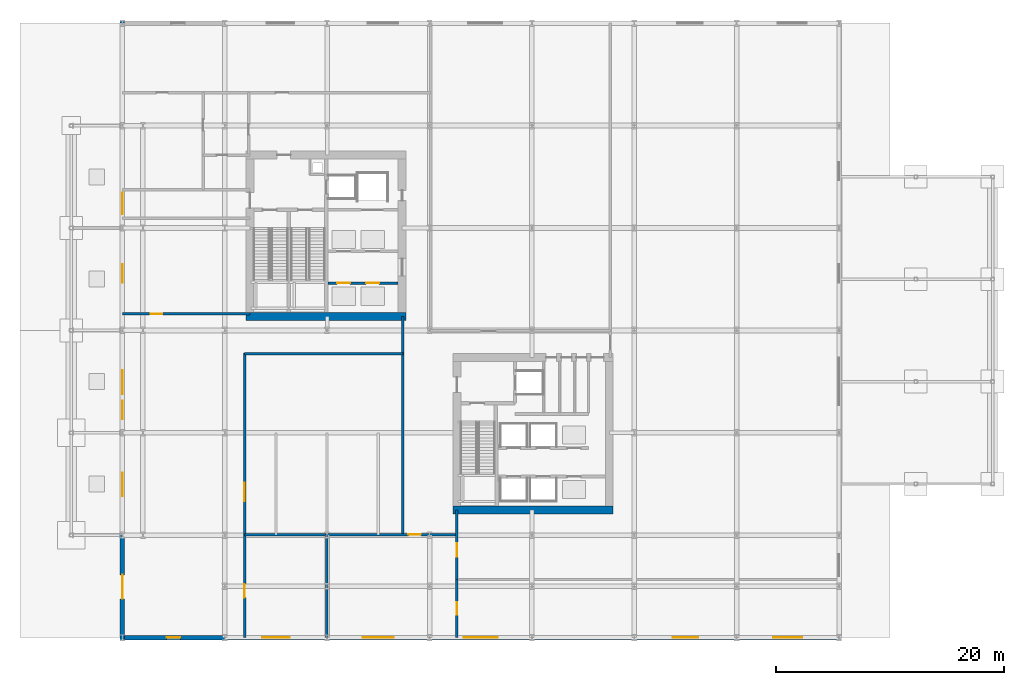
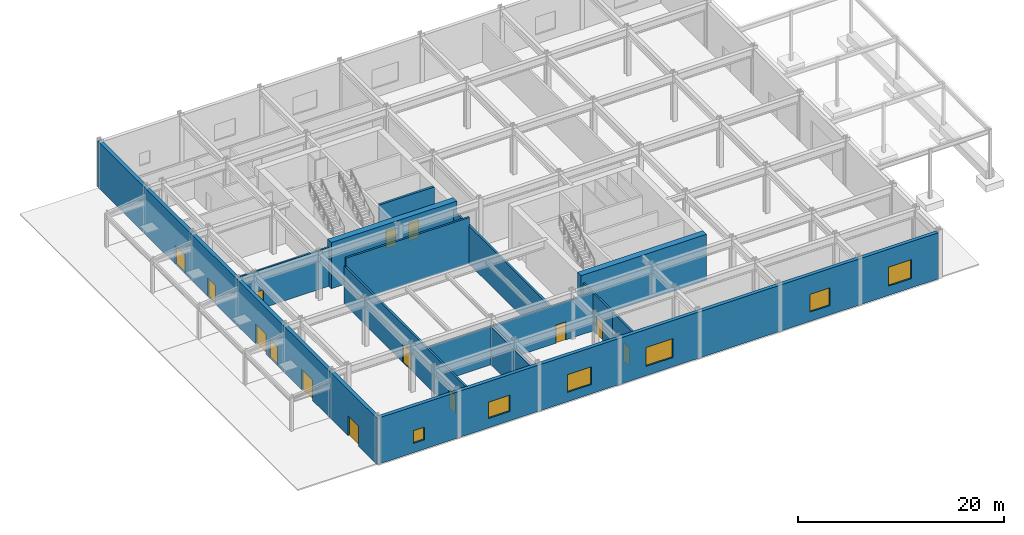
# One storey, part 10 of 19: 14 doors, 13 walls, 6 windows, 20 openings.
"""IFC4 building model written with IfcOpenShell, lengths in metres."""

from ifc_helpers import new_model, si_unit, direction, frame, frame_2d, origin, place, context, subcontext, project, spatial, rectangle, extrude, material, layer, layer_set, type_object, element, fill, save


model = new_model("IFC4")

# Units and contexts
model_context = context("Model", 3, precision=1e-05, world=origin(), true_north=direction((0.0, 1.0)))
body_context = subcontext(model_context, "Body", "Model", "MODEL_VIEW")
ifc_project = project(units=[si_unit("LENGTHUNIT", "METRE"), si_unit("AREAUNIT", "SQUARE_METRE"), si_unit("VOLUMEUNIT", "CUBIC_METRE"), si_unit("PLANEANGLEUNIT", "RADIAN"), si_unit("MASSUNIT", "GRAM", prefix="KILO")], contexts=[model_context])

# Site, building, storey
site_placement = place(None, origin())
site = spatial("IfcSite", under=ifc_project, at=site_placement, CompositionType="ELEMENT")
building_placement = place(site_placement, origin())
building = spatial("IfcBuilding", under=site, at=building_placement, Name="Solvaryn Broadcast Tower", CompositionType="ELEMENT")
storey_placement = place(building_placement, origin())
storey = spatial("IfcBuildingStorey", under=building, at=storey_placement, Name="L00", CompositionType="ELEMENT", Elevation=0.0)

# Walls
ifc_material_1 = material(Name="Concrete f'c 70 MPa", Category="concrete")
ifc_layer_1 = layer(ifc_material_1, 0.699951171875)
ifc_layer_set_1 = layer_set([ifc_layer_1], Name="CW-SHEAR-700")
wall_type_1 = type_object("IfcWallType", Name="CW-SHEAR-700", PredefinedType="SHEAR", material=ifc_layer_set_1)
for number, where, z_axis, x_axis, name in (
    (1, (24.949951171875, 28.199951171875, 0.0), (0.0, 0.0, 1.0), (-1.0, 0.0, 0.0), "L00 West Core South Shear Wall"),
    (2, (43.14990234375, 11.199951171875, 0.0), (0.0, 0.0, 1.0), (-1.0, 0.0, 0.0), "L00 East Core South Shear Wall"),
):
    element("IfcWall", number, at=place(storey_placement, frame(where, z_axis=z_axis, x_axis=x_axis)), inside=storey, type_object=wall_type_1, Name=name, PredefinedType="SHEAR", context=body_context, shape_type="SweptSolid", body=[
        extrude(rectangle(XDim=14.099853515625, YDim=0.699951171875, at=frame_2d((7.0498046875, 0.0))), origin(), (0.0, 0.0, 1.0), 5.47998046875),
    ])

# Wall, openings, doors
ifc_material_2 = material(Name="Concrete f'c 50 MPa", Category="concrete")
ifc_layer_2 = layer(ifc_material_2, 0.39990234375)
ifc_layer_set_2 = layer_set([ifc_layer_2], Name="EW-POD-400")
wall_type_2 = type_object("IfcWallType", Name="EW-POD-400", PredefinedType="SOLIDWALL", material=ifc_layer_set_2)
wall_1_placement = place(storey_placement, frame((0.0, -0.199951171875, 0.0), z_axis=(0.0, 0.0, 1.0), x_axis=(0.0, 1.0, 0.0)))
wall_1 = element("IfcWall", 3, at=wall_1_placement, inside=storey, type_object=wall_type_2, Name="L00 West Street Facade Wall", PredefinedType="SOLIDWALL", context=body_context, shape_type="SweptSolid", body=[
    extrude(rectangle(XDim=54.39990234375, YDim=0.39990234375, at=frame_2d((27.199951171875, 0.0))), origin(), (0.0, 0.0, 1.0), 5.47998046875),
])
opening_1_placement = place(wall_1_placement, frame((37.39990234375, 0.0, 0.0)))
opening_1 = element("IfcOpeningElement", 4, at=opening_1_placement, cuts=wall_1, Name="Opening ED-001", PredefinedType="OPENING", context=body_context, shape_type="SweptSolid", body=[
    extrude(rectangle(XDim=1.89990234375, YDim=2.199951171875, at=frame_2d((0.949951171875, 1.10009765625))), frame((0.0, 0.2099609375, 0.0), z_axis=(0.0, -1.0, 0.0), x_axis=(1.0, 0.0, 0.0)), (0.0, 0.0, 1.0), 0.419921875),
])
opening_2_placement = place(wall_1_placement, frame((19.39990234375, 0.0, 0.0)))
opening_2 = element("IfcOpeningElement", 5, at=opening_2_placement, cuts=wall_1, Name="Opening ED-002", PredefinedType="OPENING", context=body_context, shape_type="SweptSolid", body=[
    extrude(rectangle(XDim=1.60009765625, YDim=2.199951171875, at=frame_2d((0.800048828125, 1.10009765625))), frame((0.0, 0.2099609375, 0.0), z_axis=(0.0, -1.0, 0.0), x_axis=(1.0, 0.0, 0.0)), (0.0, 0.0, 1.0), 0.419921875),
])
opening_3_placement = place(wall_1_placement, frame((3.60009765625, 0.0, 0.0)))
opening_3 = element("IfcOpeningElement", 6, at=opening_3_placement, cuts=wall_1, Name="Opening ED-004", PredefinedType="OPENING", context=body_context, shape_type="SweptSolid", body=[
    extrude(rectangle(XDim=2.10009765625, YDim=2.39990234375, at=frame_2d((1.050048828125, 1.199951171875))), frame((0.0, 0.2099609375, 0.0), z_axis=(0.0, -1.0, 0.0), x_axis=(1.0, 0.0, 0.0)), (0.0, 0.0, 1.0), 0.419921875),
])
opening_4_placement = place(wall_1_placement, frame((12.60009765625, 0.0, 0.0)))
opening_4 = element("IfcOpeningElement", 7, at=opening_4_placement, cuts=wall_1, Name="Opening ED-005", PredefinedType="OPENING", context=body_context, shape_type="SweptSolid", body=[
    extrude(rectangle(XDim=2.10009765625, YDim=2.39990234375, at=frame_2d((1.050048828125, 1.199951171875))), frame((0.0, 0.2099609375, 0.0), z_axis=(0.0, -1.0, 0.0), x_axis=(1.0, 0.0, 0.0)), (0.0, 0.0, 1.0), 0.419921875),
])
opening_5_placement = place(wall_1_placement, frame((21.60009765625, 0.0, 0.0)))
opening_5 = element("IfcOpeningElement", 8, at=opening_5_placement, cuts=wall_1, Name="Opening ED-006", PredefinedType="OPENING", context=body_context, shape_type="SweptSolid", body=[
    extrude(rectangle(XDim=2.10009765625, YDim=2.39990234375, at=frame_2d((1.050048828125, 1.199951171875))), frame((0.0, 0.2099609375, 0.0), z_axis=(0.0, -1.0, 0.0), x_axis=(1.0, 0.0, 0.0)), (0.0, 0.0, 1.0), 0.419921875),
])
opening_6_placement = place(wall_1_placement, frame((31.39990234375, 0.0, 0.0)))
opening_6 = element("IfcOpeningElement", 9, at=opening_6_placement, cuts=wall_1, Name="Opening ED-009", PredefinedType="OPENING", context=body_context, shape_type="SweptSolid", body=[
    extrude(rectangle(XDim=1.60009765625, YDim=2.199951171875, at=frame_2d((0.800048828125, 1.10009765625))), frame((0.0, 0.2099609375, 0.0), z_axis=(0.0, -1.0, 0.0), x_axis=(1.0, 0.0, 0.0)), (0.0, 0.0, 1.0), 0.419921875),
])
ifc_material_3 = material(Name="Insulated Architectural Aluminium and Glazing", Category="aluminium")
door_type_1 = type_object("IfcDoorType", Name="ED-EXIT-1600X2200", OperationType="NOTDEFINED", PredefinedType="DOOR", material=ifc_material_3)
door_1_placement = place(opening_2_placement, origin())
door_1 = element("IfcDoor", 10, at=door_1_placement, inside=storey, type_object=door_type_1, Name="L00 West Lobby Secondary Exit Door", OperationType="DOUBLE_DOOR_SINGLE_SWING", OverallHeight=2.199951171875, OverallWidth=1.60009765625, PredefinedType="DOOR", context=body_context, shape_type="SweptSolid", body=[
    extrude(rectangle(XDim=1.60009765625, YDim=2.199951171875, at=frame_2d((0.800048828125, 1.10009765625))), frame((0.0, 0.02490234375, 0.0), z_axis=(0.0, -1.0, 0.0), x_axis=(1.0, 0.0, 0.0)), (0.0, 0.0, 1.0), 0.050048828125),
])
fill(opening_2, door_1)
door_2_placement = place(opening_6_placement, origin())
door_2 = element("IfcDoor", 11, at=door_2_placement, inside=storey, type_object=door_type_1, Name="L00 Fire Command Center Direct Exterior Door", OperationType="DOUBLE_DOOR_SINGLE_SWING", OverallHeight=2.199951171875, OverallWidth=1.60009765625, PredefinedType="DOOR", context=body_context, shape_type="SweptSolid", body=[
    extrude(rectangle(XDim=1.60009765625, YDim=2.199951171875, at=frame_2d((0.800048828125, 1.10009765625))), frame((0.0, 0.02490234375, 0.0), z_axis=(0.0, -1.0, 0.0), x_axis=(1.0, 0.0, 0.0)), (0.0, 0.0, 1.0), 0.050048828125),
])
fill(opening_6, door_2)
ifc_material_4 = material(Name="Insulated Architectural Aluminium and Glazing", Category="aluminium")
door_type_2 = type_object("IfcDoorType", Name="ED-EXIT-1900X2200", OperationType="NOTDEFINED", PredefinedType="DOOR", material=ifc_material_4)
door_3_placement = place(opening_1_placement, origin())
door_3 = element("IfcDoor", 12, at=door_3_placement, inside=storey, type_object=door_type_2, Name="L00 Final Exit Door ST1-ST2", OperationType="DOUBLE_DOOR_SINGLE_SWING", OverallHeight=2.199951171875, OverallWidth=1.89990234375, PredefinedType="DOOR", context=body_context, shape_type="SweptSolid", body=[
    extrude(rectangle(XDim=1.89990234375, YDim=2.199951171875, at=frame_2d((0.949951171875, 1.10009765625))), frame((0.0, 0.02490234375, 0.0), z_axis=(0.0, -1.0, 0.0), x_axis=(1.0, 0.0, 0.0)), (0.0, 0.0, 1.0), 0.050048828125),
])
fill(opening_1, door_3)
ifc_material_5 = material(Name="Insulated Architectural Aluminium and Glazing", Category="aluminium")
door_type_3 = type_object("IfcDoorType", Name="ED-MAIN-2100X2400", OperationType="NOTDEFINED", PredefinedType="DOOR", material=ifc_material_5)
door_4_placement = place(opening_3_placement, origin())
door_4 = element("IfcDoor", 13, at=door_4_placement, inside=storey, type_object=door_type_3, Name="L00 Main Entrance Door 1", OperationType="DOUBLE_DOOR_SINGLE_SWING", OverallHeight=2.39990234375, OverallWidth=2.10009765625, PredefinedType="DOOR", context=body_context, shape_type="SweptSolid", body=[
    extrude(rectangle(XDim=2.10009765625, YDim=2.39990234375, at=frame_2d((1.050048828125, 1.199951171875))), frame((0.0, 0.02490234375, 0.0), z_axis=(0.0, -1.0, 0.0), x_axis=(1.0, 0.0, 0.0)), (0.0, 0.0, 1.0), 0.050048828125),
])
fill(opening_3, door_4)
door_5_placement = place(opening_4_placement, origin())
door_5 = element("IfcDoor", 14, at=door_5_placement, inside=storey, type_object=door_type_3, Name="L00 Main Entrance Door 2", OperationType="DOUBLE_DOOR_SINGLE_SWING", OverallHeight=2.39990234375, OverallWidth=2.10009765625, PredefinedType="DOOR", context=body_context, shape_type="SweptSolid", body=[
    extrude(rectangle(XDim=2.10009765625, YDim=2.39990234375, at=frame_2d((1.050048828125, 1.199951171875))), frame((0.0, 0.02490234375, 0.0), z_axis=(0.0, -1.0, 0.0), x_axis=(1.0, 0.0, 0.0)), (0.0, 0.0, 1.0), 0.050048828125),
])
fill(opening_4, door_5)
door_6_placement = place(opening_5_placement, origin())
door_6 = element("IfcDoor", 15, at=door_6_placement, inside=storey, type_object=door_type_3, Name="L00 Main Entrance Door 3", OperationType="DOUBLE_DOOR_SINGLE_SWING", OverallHeight=2.39990234375, OverallWidth=2.10009765625, PredefinedType="DOOR", context=body_context, shape_type="SweptSolid", body=[
    extrude(rectangle(XDim=2.10009765625, YDim=2.39990234375, at=frame_2d((1.050048828125, 1.199951171875))), frame((0.0, 0.02490234375, 0.0), z_axis=(0.0, -1.0, 0.0), x_axis=(1.0, 0.0, 0.0)), (0.0, 0.0, 1.0), 0.050048828125),
])
fill(opening_5, door_6)

# Wall, openings, windows
wall_2_placement = place(storey_placement, frame((62.800048828125, 0.0, 0.0), z_axis=(0.0, 0.0, 1.0), x_axis=(-1.0, 0.0, 0.0)))
wall_2 = element("IfcWall", 16, at=wall_2_placement, inside=storey, type_object=wall_type_2, Name="L00 South Facade Wall", PredefinedType="SOLIDWALL", context=body_context, shape_type="SweptSolid", body=[
    extrude(rectangle(XDim=62.60009765625, YDim=0.39990234375, at=frame_2d((31.300048828125, 0.0))), origin(), (0.0, 0.0, 1.0), 5.47998046875),
])
opening_7_placement = place(wall_2_placement, frame((57.699951171875, 0.0, 1.10009765625)))
opening_7 = element("IfcOpeningElement", 17, at=opening_7_placement, cuts=wall_2, Name="Opening WN01", PredefinedType="OPENING", context=body_context, shape_type="SweptSolid", body=[
    extrude(rectangle(XDim=1.199951171875, YDim=1.5, at=frame_2d((0.60009765625, 0.75))), frame((0.0, 0.2099609375, 0.0), z_axis=(0.0, -1.0, 0.0), x_axis=(1.0, 0.0, 0.0)), (0.0, 0.0, 1.0), 0.419921875),
])
opening_8_placement = place(wall_2_placement, frame((48.10009765625, 0.0, 1.10009765625)))
opening_8 = element("IfcOpeningElement", 18, at=opening_8_placement, cuts=wall_2, Name="Opening WN05", PredefinedType="OPENING", context=body_context, shape_type="SweptSolid", body=[
    extrude(rectangle(XDim=2.39990234375, YDim=1.949951171875, at=frame_2d((1.199951171875, 0.97509765625))), frame((0.0, 0.2099609375, 0.0), z_axis=(0.0, -1.0, 0.0), x_axis=(1.0, 0.0, 0.0)), (0.0, 0.0, 1.0), 0.419921875),
])
opening_9_placement = place(wall_2_placement, frame((38.949951171875, 0.0, 1.10009765625)))
opening_9 = element("IfcOpeningElement", 19, at=opening_9_placement, cuts=wall_2, Name="Opening WN06", PredefinedType="OPENING", context=body_context, shape_type="SweptSolid", body=[
    extrude(rectangle(XDim=2.699951171875, YDim=2.10009765625, at=frame_2d((1.35009765625, 1.050048828125))), frame((0.0, 0.2099609375, 0.0), z_axis=(0.0, -1.0, 0.0), x_axis=(1.0, 0.0, 0.0)), (0.0, 0.0, 1.0), 0.419921875),
])
opening_10_placement = place(wall_2_placement, frame((29.800048828125, 0.0, 1.10009765625)))
opening_10 = element("IfcOpeningElement", 20, at=opening_10_placement, cuts=wall_2, Name="Opening WN07", PredefinedType="OPENING", context=body_context, shape_type="SweptSolid", body=[
    extrude(rectangle(XDim=3.0, YDim=2.25, at=frame_2d((1.5, 1.125))), frame((0.0, 0.2099609375, 0.0), z_axis=(0.0, -1.0, 0.0), x_axis=(1.0, 0.0, 0.0)), (0.0, 0.0, 1.0), 0.419921875),
])
opening_11_placement = place(wall_2_placement, frame((12.175048828125, 0.0, 1.10009765625)))
opening_11 = element("IfcOpeningElement", 21, at=opening_11_placement, cuts=wall_2, Name="Opening WN11", PredefinedType="OPENING", context=body_context, shape_type="SweptSolid", body=[
    extrude(rectangle(XDim=2.25, YDim=2.10009765625, at=frame_2d((1.125, 1.050048828125))), frame((0.0, 0.2099609375, 0.0), z_axis=(0.0, -1.0, 0.0), x_axis=(1.0, 0.0, 0.0)), (0.0, 0.0, 1.0), 0.419921875),
])
opening_12_placement = place(wall_2_placement, frame((3.02490234375, 0.0, 1.10009765625)))
opening_12 = element("IfcOpeningElement", 22, at=opening_12_placement, cuts=wall_2, Name="Opening WN12", PredefinedType="OPENING", context=body_context, shape_type="SweptSolid", body=[
    extrude(rectangle(XDim=2.550048828125, YDim=2.25, at=frame_2d((1.27490234375, 1.125))), frame((0.0, 0.2099609375, 0.0), z_axis=(0.0, -1.0, 0.0), x_axis=(1.0, 0.0, 0.0)), (0.0, 0.0, 1.0), 0.419921875),
])
ifc_material_6 = material(Name="Thermally Broken Aluminium Acoustic Glazing", Category="aluminium")
window_type_1 = type_object("IfcWindowType", Name="WN-01-1200X1500", PartitioningType="SINGLE_PANEL", PredefinedType="WINDOW", material=ifc_material_6)
window_1_placement = place(opening_7_placement, origin())
window_1 = element("IfcWindow", 23, at=window_1_placement, inside=storey, type_object=window_type_1, Name="L00 South Acoustic Window 1", OverallHeight=1.5, OverallWidth=1.199951171875, PartitioningType="SINGLE_PANEL", PredefinedType="WINDOW", context=body_context, shape_type="SweptSolid", body=[
    extrude(rectangle(XDim=1.199951171875, YDim=1.5, at=frame_2d((0.60009765625, 0.75))), frame((0.0, 0.030029296875, 0.0), z_axis=(0.0, -1.0, 0.0), x_axis=(1.0, 0.0, 0.0)), (0.0, 0.0, 1.0), 0.06005859375),
])
fill(opening_7, window_1)
ifc_material_7 = material(Name="Thermally Broken Aluminium Acoustic Glazing", Category="aluminium")
window_type_2 = type_object("IfcWindowType", Name="WN-05-2400X1950", PartitioningType="SINGLE_PANEL", PredefinedType="WINDOW", material=ifc_material_7)
window_2_placement = place(opening_8_placement, origin())
window_2 = element("IfcWindow", 24, at=window_2_placement, inside=storey, type_object=window_type_2, Name="L00 South Acoustic Window 2", OverallHeight=1.949951171875, OverallWidth=2.39990234375, PartitioningType="SINGLE_PANEL", PredefinedType="WINDOW", context=body_context, shape_type="SweptSolid", body=[
    extrude(rectangle(XDim=2.39990234375, YDim=1.949951171875, at=frame_2d((1.199951171875, 0.97509765625))), frame((0.0, 0.030029296875, 0.0), z_axis=(0.0, -1.0, 0.0), x_axis=(1.0, 0.0, 0.0)), (0.0, 0.0, 1.0), 0.06005859375),
])
fill(opening_8, window_2)
ifc_material_8 = material(Name="Thermally Broken Aluminium Acoustic Glazing", Category="aluminium")
window_type_3 = type_object("IfcWindowType", Name="WN-06-2700X2100", PartitioningType="SINGLE_PANEL", PredefinedType="WINDOW", material=ifc_material_8)
window_3_placement = place(opening_9_placement, origin())
window_3 = element("IfcWindow", 25, at=window_3_placement, inside=storey, type_object=window_type_3, Name="L00 South Acoustic Window 3", OverallHeight=2.10009765625, OverallWidth=2.699951171875, PartitioningType="SINGLE_PANEL", PredefinedType="WINDOW", context=body_context, shape_type="SweptSolid", body=[
    extrude(rectangle(XDim=2.699951171875, YDim=2.10009765625, at=frame_2d((1.35009765625, 1.050048828125))), frame((0.0, 0.030029296875, 0.0), z_axis=(0.0, -1.0, 0.0), x_axis=(1.0, 0.0, 0.0)), (0.0, 0.0, 1.0), 0.06005859375),
])
fill(opening_9, window_3)
ifc_material_9 = material(Name="Thermally Broken Aluminium Acoustic Glazing", Category="aluminium")
window_type_4 = type_object("IfcWindowType", Name="WN-07-3000X2250", PartitioningType="SINGLE_PANEL", PredefinedType="WINDOW", material=ifc_material_9)
window_4_placement = place(opening_10_placement, origin())
window_4 = element("IfcWindow", 26, at=window_4_placement, inside=storey, type_object=window_type_4, Name="L00 South Acoustic Window 4", OverallHeight=2.25, OverallWidth=3.0, PartitioningType="SINGLE_PANEL", PredefinedType="WINDOW", context=body_context, shape_type="SweptSolid", body=[
    extrude(rectangle(XDim=3.0, YDim=2.25, at=frame_2d((1.5, 1.125))), frame((0.0, 0.030029296875, 0.0), z_axis=(0.0, -1.0, 0.0), x_axis=(1.0, 0.0, 0.0)), (0.0, 0.0, 1.0), 0.06005859375),
])
fill(opening_10, window_4)
ifc_material_10 = material(Name="Thermally Broken Aluminium Acoustic Glazing", Category="aluminium")
window_type_5 = type_object("IfcWindowType", Name="WN-11-2250X2100", PartitioningType="SINGLE_PANEL", PredefinedType="WINDOW", material=ifc_material_10)
window_5_placement = place(opening_11_placement, origin())
window_5 = element("IfcWindow", 27, at=window_5_placement, inside=storey, type_object=window_type_5, Name="L00 South Acoustic Window 5", OverallHeight=2.10009765625, OverallWidth=2.25, PartitioningType="SINGLE_PANEL", PredefinedType="WINDOW", context=body_context, shape_type="SweptSolid", body=[
    extrude(rectangle(XDim=2.25, YDim=2.10009765625, at=frame_2d((1.125, 1.050048828125))), frame((0.0, 0.030029296875, 0.0), z_axis=(0.0, -1.0, 0.0), x_axis=(1.0, 0.0, 0.0)), (0.0, 0.0, 1.0), 0.06005859375),
])
fill(opening_11, window_5)
ifc_material_11 = material(Name="Thermally Broken Aluminium Acoustic Glazing", Category="aluminium")
window_type_6 = type_object("IfcWindowType", Name="WN-12-2550X2250", PartitioningType="SINGLE_PANEL", PredefinedType="WINDOW", material=ifc_material_11)
window_6_placement = place(opening_12_placement, origin())
window_6 = element("IfcWindow", 28, at=window_6_placement, inside=storey, type_object=window_type_6, Name="L00 South Acoustic Window 6", OverallHeight=2.25, OverallWidth=2.550048828125, PartitioningType="SINGLE_PANEL", PredefinedType="WINDOW", context=body_context, shape_type="SweptSolid", body=[
    extrude(rectangle(XDim=2.550048828125, YDim=2.25, at=frame_2d((1.27490234375, 1.125))), frame((0.0, 0.030029296875, 0.0), z_axis=(0.0, -1.0, 0.0), x_axis=(1.0, 0.0, 0.0)), (0.0, 0.0, 1.0), 0.06005859375),
])
fill(opening_12, window_6)

# Wall, openings, doors
ifc_material_12 = material(Name="Double-Stud Acoustic Studio Partition")
ifc_layer_3 = layer(ifc_material_12, 0.219970703125)
ifc_layer_set_3 = layer_set([ifc_layer_3], Name="IW-ACOUSTIC-220")
wall_type_3 = type_object("IfcWallType", Name="IW-ACOUSTIC-220", PredefinedType="PARTITIONING", material=ifc_layer_set_3)
wall_3_placement = place(storey_placement, frame((10.75, 0.0, 0.0), z_axis=(0.0, 0.0, 1.0), x_axis=(0.0, 1.0, 0.0)))
wall_3 = element("IfcWall", 29, at=wall_3_placement, inside=storey, type_object=wall_type_3, Name="L00 Interior Partition IW-L00-W1", PredefinedType="PARTITIONING", context=body_context, shape_type="SweptSolid", body=[
    extrude(rectangle(XDim=25.0, YDim=0.219970703125, at=frame_2d((12.5, 0.0))), origin(), (0.0, 0.0, 1.0), 4.511962890625),
])
opening_13_placement = place(wall_3_placement, frame((12.0, 0.0, 0.0)))
opening_13 = element("IfcOpeningElement", 30, at=opening_13_placement, cuts=wall_3, Name="Opening FD60B", PredefinedType="OPENING", context=body_context, shape_type="SweptSolid", body=[
    extrude(rectangle(XDim=1.60009765625, YDim=2.199951171875, at=frame_2d((0.800048828125, 1.10009765625))), frame((0.0, 0.119873046875, 0.0), z_axis=(0.0, -1.0, 0.0), x_axis=(1.0, 0.0, 0.0)), (0.0, 0.0, 1.0), 0.239990234375),
])
opening_14_placement = place(wall_3_placement, frame((3.5, 0.0, 0.0)))
opening_14 = element("IfcOpeningElement", 31, at=opening_14_placement, cuts=wall_3, Name="Opening FD90A", PredefinedType="OPENING", context=body_context, shape_type="SweptSolid", body=[
    extrude(rectangle(XDim=1.199951171875, YDim=2.14990234375, at=frame_2d((0.60009765625, 1.074951171875))), frame((0.0, 0.119873046875, 0.0), z_axis=(0.0, -1.0, 0.0), x_axis=(1.0, 0.0, 0.0)), (0.0, 0.0, 1.0), 0.239990234375),
])
ifc_material_13 = material(Name="Flush Acoustic Steel and Timber Door Assembly", Category="steel")
door_type_4 = type_object("IfcDoorType", Name="FD60-STUDIO-1600X2200", OperationType="NOTDEFINED", PredefinedType="DOOR", material=ifc_material_13)
door_7_placement = place(opening_13_placement, origin())
door_7 = element("IfcDoor", 32, at=door_7_placement, inside=storey, type_object=door_type_4, Name="L00 Door DR-L00-ST1", OperationType="DOUBLE_DOOR_SINGLE_SWING", OverallHeight=2.199951171875, OverallWidth=1.60009765625, PredefinedType="DOOR", context=body_context, shape_type="SweptSolid", body=[
    extrude(rectangle(XDim=1.60009765625, YDim=2.199951171875, at=frame_2d((0.800048828125, 1.10009765625))), frame((0.0, 0.02490234375, 0.0), z_axis=(0.0, -1.0, 0.0), x_axis=(1.0, 0.0, 0.0)), (0.0, 0.0, 1.0), 0.050048828125),
])
fill(opening_13, door_7)
ifc_material_14 = material(Name="Flush Acoustic Steel and Timber Door Assembly", Category="steel")
door_type_5 = type_object("IfcDoorType", Name="FD90-STAIR-1200X2150", OperationType="NOTDEFINED", PredefinedType="DOOR", material=ifc_material_14)
door_8_placement = place(opening_14_placement, origin())
door_8 = element("IfcDoor", 33, at=door_8_placement, inside=storey, type_object=door_type_5, Name="L00 Door DR-L00-SLK", OperationType="SINGLE_SWING_RIGHT", OverallHeight=2.14990234375, OverallWidth=1.199951171875, PredefinedType="DOOR", context=body_context, shape_type="SweptSolid", body=[
    extrude(rectangle(XDim=1.199951171875, YDim=2.14990234375, at=frame_2d((0.60009765625, 1.074951171875))), frame((0.0, 0.02490234375, 0.0), z_axis=(0.0, -1.0, 0.0), x_axis=(1.0, 0.0, 0.0)), (0.0, 0.0, 1.0), 0.050048828125),
])
fill(opening_14, door_8)

# Walls
wall_4_placement = place(storey_placement, frame((10.75, 24.949951171875, 0.0), z_axis=(0.0, 0.0, 1.0), x_axis=(1.0, 0.0, 0.0)))
element("IfcWall", 34, at=wall_4_placement, inside=storey, type_object=wall_type_3, Name="L00 Interior Partition IW-L00-W2", PredefinedType="PARTITIONING", context=body_context, shape_type="SweptSolid", body=[
    extrude(rectangle(XDim=13.89990234375, YDim=0.219970703125, at=frame_2d((6.949951171875, 0.0))), origin(), (0.0, 0.0, 1.0), 5.47998046875),
])
wall_5_placement = place(storey_placement, frame((24.64990234375, 9.050048828125, 0.0), z_axis=(0.0, 0.0, 1.0), x_axis=(0.0, 1.0, 0.0)))
element("IfcWall", 35, at=wall_5_placement, inside=storey, type_object=wall_type_3, Name="L00 Interior Partition IW-L00-W3", PredefinedType="PARTITIONING", context=body_context, shape_type="SweptSolid", body=[
    extrude(rectangle(XDim=19.14990234375, YDim=0.219970703125, at=frame_2d((9.574951171875, 0.0))), origin(), (0.0, 0.0, 1.0), 4.511962890625),
])

# Wall, opening, door
wall_6_placement = place(storey_placement, frame((10.75, 9.050048828125, 0.0), z_axis=(0.0, 0.0, 1.0), x_axis=(1.0, 0.0, 0.0)))
wall_6 = element("IfcWall", 36, at=wall_6_placement, inside=storey, type_object=wall_type_3, Name="L00 Interior Partition IW-L00-W4", PredefinedType="PARTITIONING", context=body_context, shape_type="SweptSolid", body=[
    extrude(rectangle(XDim=18.64990234375, YDim=0.219970703125, at=frame_2d((9.324951171875, 0.0))), origin(), (0.0, 0.0, 1.0), 4.532958984375),
])
opening_15_placement = place(wall_6_placement, frame((14.39990234375, 0.0, 0.0)))
opening_15 = element("IfcOpeningElement", 37, at=opening_15_placement, cuts=wall_6, Name="Opening FD90C", PredefinedType="OPENING", context=body_context, shape_type="SweptSolid", body=[
    extrude(rectangle(XDim=1.10009765625, YDim=2.14990234375, at=frame_2d((0.550048828125, 1.074951171875))), frame((0.0, 0.119873046875, 0.0), z_axis=(0.0, -1.0, 0.0), x_axis=(1.0, 0.0, 0.0)), (0.0, 0.0, 1.0), 0.239990234375),
])
ifc_material_15 = material(Name="Flush Acoustic Steel and Timber Door Assembly", Category="steel")
door_type_6 = type_object("IfcDoorType", Name="FD90-PLANT-1100X2150", OperationType="NOTDEFINED", PredefinedType="DOOR", material=ifc_material_15)
door_9_placement = place(opening_15_placement, origin())
door_9 = element("IfcDoor", 38, at=door_9_placement, inside=storey, type_object=door_type_6, Name="L00 Door DR-L00-MCR", OperationType="SINGLE_SWING_LEFT", OverallHeight=2.14990234375, OverallWidth=1.10009765625, PredefinedType="DOOR", context=body_context, shape_type="SweptSolid", body=[
    extrude(rectangle(XDim=1.10009765625, YDim=2.14990234375, at=frame_2d((0.550048828125, 1.074951171875))), frame((0.0, 0.02490234375, 0.0), z_axis=(0.0, -1.0, 0.0), x_axis=(1.0, 0.0, 0.0)), (0.0, 0.0, 1.0), 0.050048828125),
])
fill(opening_15, door_9)

# Wall
wall_7_placement = place(storey_placement, frame((17.949951171875, 0.0, 0.0), z_axis=(0.0, 0.0, 1.0), x_axis=(0.0, 1.0, 0.0)))
element("IfcWall", 39, at=wall_7_placement, inside=storey, type_object=wall_type_3, Name="L00 Interior Partition IW-L00-W5", PredefinedType="PARTITIONING", context=body_context, shape_type="SweptSolid", body=[
    extrude(rectangle(XDim=9.050048828125, YDim=0.219970703125, at=frame_2d((4.52490234375, 0.0))), origin(), (0.0, 0.0, 1.0), 4.532958984375),
])

# Wall, opening, door
wall_8_placement = place(storey_placement, frame((29.39990234375, 0.0, 0.0), z_axis=(0.0, 0.0, 1.0), x_axis=(0.0, 1.0, 0.0)))
wall_8 = element("IfcWall", 40, at=wall_8_placement, inside=storey, type_object=wall_type_3, Name="L00 Interior Partition IW-L00-W6", PredefinedType="PARTITIONING", context=body_context, shape_type="SweptSolid", body=[
    extrude(rectangle(XDim=5.10009765625, YDim=0.219970703125, at=frame_2d((2.550048828125, 0.0))), origin(), (0.0, 0.0, 1.0), 4.532958984375),
])
opening_16_placement = place(wall_8_placement, frame((2.0, 0.0, 0.0)))
opening_16 = element("IfcOpeningElement", 41, at=opening_16_placement, cuts=wall_8, Name="Opening FD90C", PredefinedType="OPENING", context=body_context, shape_type="SweptSolid", body=[
    extrude(rectangle(XDim=1.10009765625, YDim=2.14990234375, at=frame_2d((0.550048828125, 1.074951171875))), frame((0.0, 0.119873046875, 0.0), z_axis=(0.0, -1.0, 0.0), x_axis=(1.0, 0.0, 0.0)), (0.0, 0.0, 1.0), 0.239990234375),
])
door_10_placement = place(opening_16_placement, origin())
door_10 = element("IfcDoor", 42, at=door_10_placement, inside=storey, type_object=door_type_6, Name="L00 Door DR-L00-GRN", OperationType="SINGLE_SWING_RIGHT", OverallHeight=2.14990234375, OverallWidth=1.10009765625, PredefinedType="DOOR", context=body_context, shape_type="SweptSolid", body=[
    extrude(rectangle(XDim=1.10009765625, YDim=2.14990234375, at=frame_2d((0.550048828125, 1.074951171875))), frame((0.0, 0.02490234375, 0.0), z_axis=(0.0, -1.0, 0.0), x_axis=(1.0, 0.0, 0.0)), (0.0, 0.0, 1.0), 0.050048828125),
])
fill(opening_16, door_10)

ifc_material_16 = material(Name="Gypsum Fire-Rated Shaftwall Assembly", Category="concrete")
ifc_layer_4 = layer(ifc_material_16, 0.199951171875)
ifc_layer_set_4 = layer_set([ifc_layer_4], Name="IW-RATED-200")
wall_type_4 = type_object("IfcWallType", Name="IW-RATED-200", PredefinedType="PARTITIONING", material=ifc_layer_set_4)
wall_9_placement = place(storey_placement, frame((0.0, 28.449951171875, 0.0), z_axis=(0.0, 0.0, 1.0), x_axis=(1.0, 0.0, 0.0)))
wall_9 = element("IfcWall", 43, at=wall_9_placement, inside=storey, type_object=wall_type_4, Name="L00 Interior Partition IW-L00-EP1-S", PredefinedType="PARTITIONING", context=body_context, shape_type="SweptSolid", body=[
    extrude(rectangle(XDim=11.199951171875, YDim=0.199951171875, at=frame_2d((5.60009765625, 0.0))), origin(), (0.0, 0.0, 1.0), 4.60498046875),
])
opening_17_placement = place(wall_9_placement, frame((2.5, 0.0, 0.0)))
opening_17 = element("IfcOpeningElement", 44, at=opening_17_placement, cuts=wall_9, Name="Opening FD90D", PredefinedType="OPENING", context=body_context, shape_type="SweptSolid", body=[
    extrude(rectangle(XDim=1.0, YDim=2.14990234375, at=frame_2d((0.5, 1.074951171875))), frame((0.0, 0.110107421875, 0.0), z_axis=(0.0, -1.0, 0.0), x_axis=(1.0, 0.0, 0.0)), (0.0, 0.0, 1.0), 0.219970703125),
])
ifc_material_17 = material(Name="Flush Acoustic Steel and Timber Door Assembly", Category="steel")
door_type_7 = type_object("IfcDoorType", Name="FD90-FCC-1000X2150", OperationType="NOTDEFINED", PredefinedType="DOOR", material=ifc_material_17)
door_11_placement = place(opening_17_placement, origin())
door_11 = element("IfcDoor", 45, at=door_11_placement, inside=storey, type_object=door_type_7, Name="L00 Door DR-L00-FCC", OperationType="SINGLE_SWING_LEFT", OverallHeight=2.14990234375, OverallWidth=1.0, PredefinedType="DOOR", context=body_context, shape_type="SweptSolid", body=[
    extrude(rectangle(XDim=1.0, YDim=2.14990234375, at=frame_2d((0.5, 1.074951171875))), frame((0.0, 0.02490234375, 0.0), z_axis=(0.0, -1.0, 0.0), x_axis=(1.0, 0.0, 0.0)), (0.0, 0.0, 1.0), 0.050048828125),
])
fill(opening_17, door_11)

wall_10_placement = place(storey_placement, frame((29.39990234375, 5.10009765625, 0.0), z_axis=(0.0, 0.0, 1.0), x_axis=(0.0, 1.0, 0.0)))
wall_10 = element("IfcWall", 46, at=wall_10_placement, inside=storey, type_object=wall_type_4, Name="L00 Interior Partition IW-L00-EP3-W", PredefinedType="PARTITIONING", context=body_context, shape_type="SweptSolid", body=[
    extrude(rectangle(XDim=6.099853515625, YDim=0.199951171875, at=frame_2d((3.0498046875, 0.0))), origin(), (0.0, 0.0, 1.0), 4.532958984375),
])
opening_18_placement = place(wall_10_placement, frame((2.0, 0.0, 0.0)))
opening_18 = element("IfcOpeningElement", 47, at=opening_18_placement, cuts=wall_10, Name="Opening FD90A", PredefinedType="OPENING", context=body_context, shape_type="SweptSolid", body=[
    extrude(rectangle(XDim=1.199951171875, YDim=2.14990234375, at=frame_2d((0.60009765625, 1.074951171875))), frame((0.0, 0.110107421875, 0.0), z_axis=(0.0, -1.0, 0.0), x_axis=(1.0, 0.0, 0.0)), (0.0, 0.0, 1.0), 0.219970703125),
])
door_12_placement = place(opening_18_placement, origin())
door_12 = element("IfcDoor", 48, at=door_12_placement, inside=storey, type_object=door_type_5, Name="L00 Door DR-L00-EP3-LOB", OperationType="SINGLE_SWING_RIGHT", OverallHeight=2.14990234375, OverallWidth=1.199951171875, PredefinedType="DOOR", context=body_context, shape_type="SweptSolid", body=[
    extrude(rectangle(XDim=1.199951171875, YDim=2.14990234375, at=frame_2d((0.60009765625, 1.074951171875))), frame((0.0, 0.02490234375, 0.0), z_axis=(0.0, -1.0, 0.0), x_axis=(1.0, 0.0, 0.0)), (0.0, 0.0, 1.0), 0.050048828125),
])
fill(opening_18, door_12)

# Wall, openings, doors
ifc_material_18 = material(Name="Concrete f'c 60 MPa", Category="concrete")
ifc_layer_5 = layer(ifc_material_18, 0.25)
ifc_layer_set_5 = layer_set([ifc_layer_5], Name="SW-SHAFT-250")
wall_type_5 = type_object("IfcWallType", Name="SW-SHAFT-250", PredefinedType="PARTITIONING", material=ifc_layer_set_5)
wall_11_placement = place(storey_placement, frame((18.070068359375, 31.14990234375, 0.0), z_axis=(0.0, 0.0, 1.0), x_axis=(1.0, 0.0, 0.0)))
wall_11 = element("IfcWall", 49, at=wall_11_placement, inside=storey, type_object=wall_type_5, Name="L00 High-Rise Lift Bank South Wall", PredefinedType="PARTITIONING", context=body_context, shape_type="SweptSolid", body=[
    extrude(rectangle(XDim=6.179931640625, YDim=0.25, at=frame_2d((3.08984375, 0.0))), origin(), (0.0, 0.0, 1.0), 5.47998046875),
])
opening_19_placement = place(wall_11_placement, frame((0.804931640625, 0.0, 0.0)))
opening_19 = element("IfcOpeningElement", 50, at=opening_19_placement, cuts=wall_11, Name="Opening LD01", PredefinedType="OPENING", context=body_context, shape_type="SweptSolid", body=[
    extrude(rectangle(XDim=1.14990234375, YDim=2.14990234375, at=frame_2d((0.574951171875, 1.074951171875))), frame((0.0, 0.135009765625, 0.0), z_axis=(0.0, -1.0, 0.0), x_axis=(1.0, 0.0, 0.0)), (0.0, 0.0, 1.0), 0.27001953125),
])
opening_20_placement = place(wall_11_placement, frame((3.35498046875, 0.0, 0.0)))
opening_20 = element("IfcOpeningElement", 51, at=opening_20_placement, cuts=wall_11, Name="Opening LD01", PredefinedType="OPENING", context=body_context, shape_type="SweptSolid", body=[
    extrude(rectangle(XDim=1.14990234375, YDim=2.14990234375, at=frame_2d((0.574951171875, 1.074951171875))), frame((0.0, 0.135009765625, 0.0), z_axis=(0.0, -1.0, 0.0), x_axis=(1.0, 0.0, 0.0)), (0.0, 0.0, 1.0), 0.27001953125),
])
ifc_material_19 = material(Name="Flush Acoustic Steel and Timber Door Assembly", Category="steel")
door_type_8 = type_object("IfcDoorType", Name="LD-LIFT-1150X2150", OperationType="NOTDEFINED", PredefinedType="DOOR", material=ifc_material_19)
door_13_placement = place(opening_19_placement, origin())
door_13 = element("IfcDoor", 52, at=door_13_placement, inside=storey, type_object=door_type_8, Name="L00 PH1 Lift Landing Door", OperationType="DOUBLE_DOOR_SLIDING", OverallHeight=2.14990234375, OverallWidth=1.14990234375, PredefinedType="DOOR", context=body_context, shape_type="SweptSolid", body=[
    extrude(rectangle(XDim=1.14990234375, YDim=2.14990234375, at=frame_2d((0.574951171875, 1.074951171875))), frame((0.0, 0.02490234375, 0.0), z_axis=(0.0, -1.0, 0.0), x_axis=(1.0, 0.0, 0.0)), (0.0, 0.0, 1.0), 0.050048828125),
])
fill(opening_19, door_13)
door_14_placement = place(opening_20_placement, origin())
door_14 = element("IfcDoor", 53, at=door_14_placement, inside=storey, type_object=door_type_8, Name="L00 PH2 Lift Landing Door", OperationType="DOUBLE_DOOR_SLIDING", OverallHeight=2.14990234375, OverallWidth=1.14990234375, PredefinedType="DOOR", context=body_context, shape_type="SweptSolid", body=[
    extrude(rectangle(XDim=1.14990234375, YDim=2.14990234375, at=frame_2d((0.574951171875, 1.074951171875))), frame((0.0, 0.02490234375, 0.0), z_axis=(0.0, -1.0, 0.0), x_axis=(1.0, 0.0, 0.0)), (0.0, 0.0, 1.0), 0.050048828125),
])
fill(opening_20, door_14)

save(model, "model.ifc")
